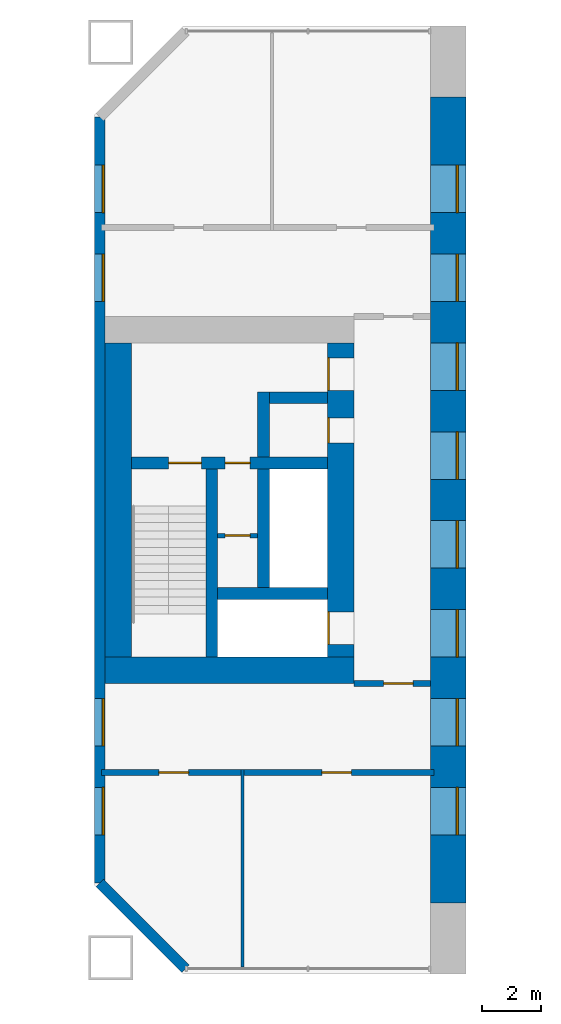
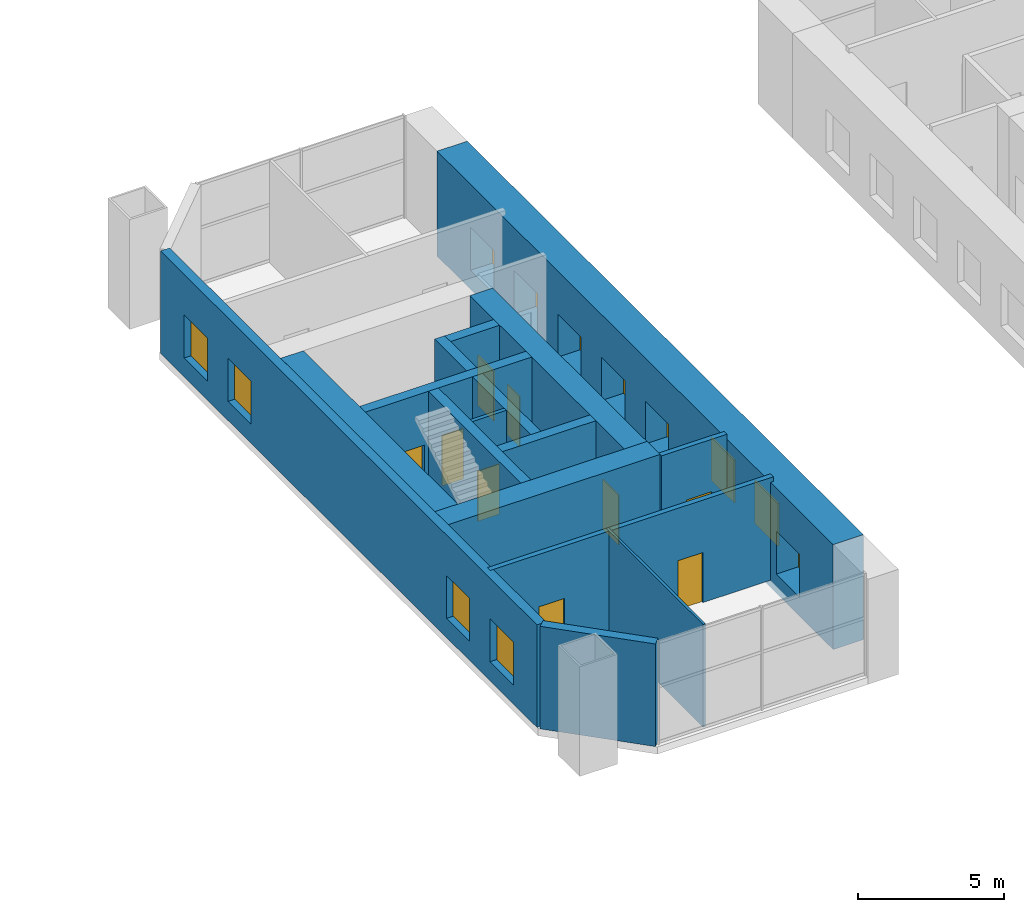
# One storey, part 13 of 19: 16 walls, 12 windows, 9 doors, 21 openings.
"""IFC4 building model written with IfcOpenShell, lengths in metres."""

import ifcopenshell
import ifcopenshell.guid

model = None  # the IFC model being written
_history = None  # IfcOwnerHistory: only IFC2X3 demands one
_inside = {}  # id of a spatial element -> (the spatial element, [elements in it])
_under = {}  # id of a project, library or spatial element -> (it, [spatial elements below it])
_declared = {}  # id of a project -> (the project, [libraries it declares])
_typed = {}  # id of a type object -> (the type object, [elements of that type])
_made_of = {}  # id of a material, layer set ... -> (it, [elements and type objects made of it])


def new_model(schema):
    """Start an empty IFC model of exactly this schema.

    Asked for "IFC4X3", IfcOpenShell would pick the latest addendum, in which some entities
    have other attributes; the version numbers below select the first issue.
    IFC2X3 requires an IfcOwnerHistory on every rooted entity: one is made here for all.
    """
    global model, _history
    if schema == "IFC4X3":
        model = ifcopenshell.file(schema_version=(4, 3, 0, 0))
    else:
        model = ifcopenshell.file(schema=schema)
    _inside.clear()
    _under.clear()
    _declared.clear()
    _typed.clear()
    _made_of.clear()
    _history = None
    if model.schema == "IFC2X3":
        org = make("IfcOrganization", Name="unknown")
        user = make(
            "IfcPersonAndOrganization",
            ThePerson=make("IfcPerson", FamilyName="unknown"),
            TheOrganization=org,
        )
        app = make(
            "IfcApplication",
            ApplicationDeveloper=org,
            Version="unknown",
            ApplicationFullName="unknown",
            ApplicationIdentifier="unknown",
        )
        _history = make(
            "IfcOwnerHistory",
            OwningUser=user,
            OwningApplication=app,
            ChangeAction="ADDED",
            CreationDate=0,
        )
    return model


def make(cls, **values):
    """One entity of the class cls with the attributes given. An attribute that is None is left unset."""
    return model.create_entity(
        cls, **{name: value for name, value in values.items() if value is not None}
    )


def rooted(cls, **values):
    """An entity with a GlobalId (a new one), such as an element, a storey or a relation."""
    return make(cls, GlobalId=ifcopenshell.guid.new(), OwnerHistory=_history, **values)


def si_unit(unit_type, name, prefix=None):
    """IfcSIUnit, for example si_unit("LENGTHUNIT", "METRE", prefix="MILLI")."""
    return make("IfcSIUnit", UnitType=unit_type, Prefix=prefix, Name=name)


def assignment(units):
    """IfcUnitAssignment: the units of a project."""
    return None if units is None else make("IfcUnitAssignment", Units=units)


def point(xyz):
    """IfcCartesianPoint."""
    return None if xyz is None else make("IfcCartesianPoint", Coordinates=xyz)


def direction(xyz):
    """IfcDirection."""
    return None if xyz is None else make("IfcDirection", DirectionRatios=xyz)


def frame(location, z_axis=None, x_axis=None):
    """IfcAxis2Placement3D, a coordinate frame: its origin and axes. An axis left out is left unset."""
    return make(
        "IfcAxis2Placement3D",
        Location=point(location),
        Axis=direction(z_axis),
        RefDirection=direction(x_axis),
    )


def frame_2d(location, x_axis=None):
    """IfcAxis2Placement2D, a coordinate frame in the plane: its origin and x axis."""
    return make(
        "IfcAxis2Placement2D", Location=point(location), RefDirection=direction(x_axis)
    )


def origin():
    """The frame at (0, 0, 0) with its axes left unset."""
    return frame((0.0, 0.0, 0.0))


def place(relative_to, where):
    """IfcLocalPlacement: puts the frame where relative to a parent placement (None: the world)."""
    return make(
        "IfcLocalPlacement", PlacementRelTo=relative_to, RelativePlacement=where
    )


def context(
    kind, dimensions, precision=None, world=None, true_north=None, identifier=None
):
    """IfcGeometricRepresentationContext, for example the 3D "Model" context."""
    return make(
        "IfcGeometricRepresentationContext",
        ContextIdentifier=identifier,
        ContextType=kind,
        CoordinateSpaceDimension=dimensions,
        Precision=precision,
        WorldCoordinateSystem=world,
        TrueNorth=true_north,
    )


def subcontext(parent, identifier, kind, view, scale=None):
    """IfcGeometricRepresentationSubContext, for example "Body" below "Model"."""
    return make(
        "IfcGeometricRepresentationSubContext",
        ContextIdentifier=identifier,
        ContextType=kind,
        ParentContext=parent,
        TargetScale=scale,
        TargetView=view,
    )


def project(units=None, contexts=None):
    """IfcProject with its units and contexts."""
    return rooted(
        "IfcProject",
        Name="project",
        RepresentationContexts=contexts,
        UnitsInContext=assignment(units),
    )


def spatial(cls, under=None, at=None, **own):
    """A site, building, storey or space (cls), placed at a placement, below another one or the project."""
    s = rooted(cls, ObjectPlacement=at, **own)
    if under is not None:
        _under.setdefault(under.id(), (under, []))[1].append(s)
    return s


def profile(cls, at=None, kind="AREA", **sizes):
    """A parametric profile (cls). Its sizes go by their IFC names, for example OverallWidth=200.0."""
    return make(cls, ProfileType=kind, Position=at, **sizes)


def rectangle(**sizes):
    """IfcRectangleProfileDef."""
    return profile("IfcRectangleProfileDef", **sizes)


def extrude(swept, where, along, depth):
    """IfcExtrudedAreaSolid: the profile swept, set in the frame where, extruded along a direction by depth."""
    return make(
        "IfcExtrudedAreaSolid",
        SweptArea=swept,
        Position=where,
        ExtrudedDirection=direction(along),
        Depth=depth,
    )


def shape(context_of_items, identifier, shape_type, items):
    """IfcShapeRepresentation: the items that make up one representation, for example the "Body"."""
    return make(
        "IfcShapeRepresentation",
        ContextOfItems=context_of_items,
        RepresentationIdentifier=identifier,
        RepresentationType=shape_type,
        Items=items,
    )


def material(Name=None, Category=None):
    """IfcMaterial."""
    return make("IfcMaterial", Name=Name, Category=Category)


def layer(
    of_material, thickness, ventilated=None, Name=None, Category=None, Priority=None
):
    """IfcMaterialLayer: one layer of a wall or slab, of a material (None: an air gap)."""
    return make(
        "IfcMaterialLayer",
        Material=of_material,
        LayerThickness=thickness,
        IsVentilated=ventilated,
        Name=Name,
        Category=Category,
        Priority=Priority,
    )


def layer_set(layers, Name=None):
    """IfcMaterialLayerSet."""
    return make("IfcMaterialLayerSet", MaterialLayers=layers, LayerSetName=Name)


def made_of(thing, what):
    """Note that an element or type object is made of a material, layer set ...; save() writes the relation."""
    if what is not None:
        _made_of.setdefault(what.id(), (what, []))[1].append(thing)
    return thing


def type_object(cls, material=None, **own):
    """A type object (cls), such as IfcWallType, which elements share."""
    return made_of(rooted(cls, **own), material)


def element(
    cls,
    number,
    at=None,
    inside=None,
    cuts=None,
    type_object=None,
    material=None,
    context=None,
    identifier="Body",
    shape_type=None,
    held_by="IfcProductDefinitionShape",
    body=None,
    shapes=None,
    **own,
):
    """One element of the class cls, such as IfcWall. Its Tag is "e" and its number.

    at: its placement. inside: the storey or other place that contains it. cuts: it is an
    opening in that element (IfcRelVoidsElement). A single representation is given by context,
    identifier, shape_type and body (its items); several are given by shapes. held_by: the class
    of the entity that holds the representations. save() writes the other relations.
    """
    e = rooted(cls, Tag="e%d" % number, ObjectPlacement=at, **own)
    if body is not None:
        shapes = [shape(context, identifier, shape_type, body)]
    if shapes is not None:
        e.Representation = make(held_by, Representations=shapes)
    if inside is not None:
        _inside.setdefault(inside.id(), (inside, []))[1].append(e)
    if cuts is not None:
        rooted(
            "IfcRelVoidsElement", RelatingBuildingElement=cuts, RelatedOpeningElement=e
        )
    if type_object is not None:
        _typed.setdefault(type_object.id(), (type_object, []))[1].append(e)
    return made_of(e, material)


def fill(opening, filler):
    """IfcRelFillsElement: the door or window that sits in an opening."""
    return rooted(
        "IfcRelFillsElement",
        RelatingOpeningElement=opening,
        RelatedBuildingElement=filler,
    )


def aggregate(whole, parts):
    """IfcRelAggregates: a whole, such as a stair, and the parts it consists of."""
    return rooted("IfcRelAggregates", RelatingObject=whole, RelatedObjects=parts)


def save(model, path):
    """Write the relations noted so far, then the file.

    IfcRelAggregates (storeys below a building ...), IfcRelContainedInSpatialStructure (elements
    in a storey), IfcRelDefinesByType, IfcRelAssociatesMaterial and IfcRelDeclares: one each for
    every whole, place, type object, material and project.
    """
    for whole, parts in _under.values():
        aggregate(whole, parts)
    for where, things in _inside.values():
        rooted(
            "IfcRelContainedInSpatialStructure",
            RelatedElements=things,
            RelatingStructure=where,
        )
    for kind, things in _typed.values():
        rooted("IfcRelDefinesByType", RelatedObjects=things, RelatingType=kind)
    for what, things in _made_of.values():
        rooted("IfcRelAssociatesMaterial", RelatedObjects=things, RelatingMaterial=what)
    for by, libraries in _declared.values():
        rooted("IfcRelDeclares", RelatingContext=by, RelatedDefinitions=libraries)
    model.write(path)


model = new_model("IFC4")

# Units and contexts
model_context = context("Model", 3, precision=1e-05, world=origin(), true_north=direction((0.0, 1.0)))
body_context = subcontext(model_context, "Body", "Model", "MODEL_VIEW")
ifc_project = project(units=[si_unit("LENGTHUNIT", "METRE"), si_unit("AREAUNIT", "SQUARE_METRE"), si_unit("VOLUMEUNIT", "CUBIC_METRE"), si_unit("PLANEANGLEUNIT", "RADIAN"), si_unit("MASSUNIT", "GRAM", prefix="KILO")], contexts=[model_context])

# Site, building, storey
site_placement = place(None, origin())
site = spatial("IfcSite", under=ifc_project, at=site_placement, CompositionType="ELEMENT")
building_placement = place(site_placement, origin())
building = spatial("IfcBuilding", under=site, at=building_placement, Name="Tuart Gate Housing", CompositionType="ELEMENT")
storey_placement = place(building_placement, frame((0.0, 0.0, 10.10009765625)))
storey = spatial("IfcBuildingStorey", under=building, at=storey_placement, Name="L02", CompositionType="ELEMENT", Elevation=10.10009765625)

# Wall
ifc_material_1 = material(Name="Brick", Category="masonry")
ifc_layer_1 = layer(ifc_material_1, 0.360107421875)
ifc_layer_set_1 = layer_set([ifc_layer_1], Name="Brick pier and spandrel wall 360")
wall_type_1 = type_object("IfcWallType", Name="Brick pier and spandrel wall 360", PredefinedType="STANDARD", material=ifc_layer_set_1)
wall_1_placement = place(storey_placement, frame((131.179931640625, 57.07470703125, 0.0), z_axis=(0.0, 0.0, 1.0), x_axis=(0.707106781187, -0.707106781187, 0.0)))
element("IfcWall", 1, at=wall_1_placement, inside=storey, type_object=wall_type_1, Name="External wall B-SW L02", PredefinedType="STANDARD", context=body_context, shape_type="SweptSolid", body=[
    extrude(rectangle(XDim=4.09375, YDim=0.360107421875, at=frame_2d((2.046875, 0.0))), origin(), (0.0, 0.0, 1.0), 4.2998046875),
])

# Wall, openings, windows
wall_2_placement = place(storey_placement, frame((131.179931640625, 82.92529296875, 0.0), z_axis=(0.0, 0.0, 1.0), x_axis=(0.0, -1.0, 0.0)))
wall_2 = element("IfcWall", 2, at=wall_2_placement, inside=storey, type_object=wall_type_1, Name="External wall B-W L02", PredefinedType="STANDARD", context=body_context, shape_type="SweptSolid", body=[
    extrude(rectangle(XDim=25.850830078125, YDim=0.360107421875, at=frame_2d((12.92529296875, 0.0))), origin(), (0.0, 0.0, 1.0), 4.2998046875),
])
opening_1_placement = place(wall_2_placement, frame((1.62548828125, 0.0, 0.800048828125)))
opening_1 = element("IfcOpeningElement", 3, at=opening_1_placement, cuts=wall_2, Name="Opening W1", PredefinedType="OPENING", context=body_context, shape_type="SweptSolid", body=[
    extrude(rectangle(XDim=1.60009765625, YDim=1.800048828125, at=frame_2d((0.800048828125, 0.89990234375))), frame((0.0, 0.18994140625, 0.0), z_axis=(0.0, -1.0, 0.0), x_axis=(1.0, 0.0, 0.0)), (0.0, 0.0, 1.0), 0.380126953125),
])
opening_2_placement = place(wall_2_placement, frame((4.62548828125, 0.0, 0.800048828125)))
opening_2 = element("IfcOpeningElement", 4, at=opening_2_placement, cuts=wall_2, Name="Opening W1", PredefinedType="OPENING", context=body_context, shape_type="SweptSolid", body=[
    extrude(rectangle(XDim=1.60009765625, YDim=1.800048828125, at=frame_2d((0.800048828125, 0.89990234375))), frame((0.0, 0.18994140625, 0.0), z_axis=(0.0, -1.0, 0.0), x_axis=(1.0, 0.0, 0.0)), (0.0, 0.0, 1.0), 0.380126953125),
])
opening_3_placement = place(wall_2_placement, frame((19.62548828125, 0.0, 0.800048828125)))
opening_3 = element("IfcOpeningElement", 5, at=opening_3_placement, cuts=wall_2, Name="Opening W1", PredefinedType="OPENING", context=body_context, shape_type="SweptSolid", body=[
    extrude(rectangle(XDim=1.60009765625, YDim=1.800048828125, at=frame_2d((0.800048828125, 0.89990234375))), frame((0.0, 0.18994140625, 0.0), z_axis=(0.0, -1.0, 0.0), x_axis=(1.0, 0.0, 0.0)), (0.0, 0.0, 1.0), 0.380126953125),
])
opening_4_placement = place(wall_2_placement, frame((22.62548828125, 0.0, 0.800048828125)))
opening_4 = element("IfcOpeningElement", 6, at=opening_4_placement, cuts=wall_2, Name="Opening W1", PredefinedType="OPENING", context=body_context, shape_type="SweptSolid", body=[
    extrude(rectangle(XDim=1.60009765625, YDim=1.800048828125, at=frame_2d((0.800048828125, 0.89990234375))), frame((0.0, 0.18994140625, 0.0), z_axis=(0.0, -1.0, 0.0), x_axis=(1.0, 0.0, 0.0)), (0.0, 0.0, 1.0), 0.380126953125),
])
ifc_material_2 = material(Name="Aluminium frame with clear glass", Category="aluminium")
window_type = type_object("IfcWindowType", Name="Punched window 1600 x 1800", PartitioningType="SINGLE_PANEL", PredefinedType="WINDOW", material=ifc_material_2)
window_1_placement = place(opening_1_placement, origin())
window_1 = element("IfcWindow", 7, at=window_1_placement, inside=storey, type_object=window_type, Name="Window W1", OverallHeight=1.800048828125, OverallWidth=1.60009765625, PartitioningType="SINGLE_PANEL", PredefinedType="WINDOW", context=body_context, shape_type="SweptSolid", body=[
    extrude(rectangle(XDim=1.60009765625, YDim=1.800048828125, at=frame_2d((0.800048828125, 0.89990234375))), frame((0.0, 0.150146484375, 0.0), z_axis=(0.0, -1.0, 0.0), x_axis=(1.0, 0.0, 0.0)), (0.0, 0.0, 1.0), 0.06005859375),
])
fill(opening_1, window_1)
window_2_placement = place(opening_2_placement, origin())
window_2 = element("IfcWindow", 8, at=window_2_placement, inside=storey, type_object=window_type, Name="Window W1", OverallHeight=1.800048828125, OverallWidth=1.60009765625, PartitioningType="SINGLE_PANEL", PredefinedType="WINDOW", context=body_context, shape_type="SweptSolid", body=[
    extrude(rectangle(XDim=1.60009765625, YDim=1.800048828125, at=frame_2d((0.800048828125, 0.89990234375))), frame((0.0, 0.150146484375, 0.0), z_axis=(0.0, -1.0, 0.0), x_axis=(1.0, 0.0, 0.0)), (0.0, 0.0, 1.0), 0.06005859375),
])
fill(opening_2, window_2)
window_3_placement = place(opening_3_placement, origin())
window_3 = element("IfcWindow", 9, at=window_3_placement, inside=storey, type_object=window_type, Name="Window W1", OverallHeight=1.800048828125, OverallWidth=1.60009765625, PartitioningType="SINGLE_PANEL", PredefinedType="WINDOW", context=body_context, shape_type="SweptSolid", body=[
    extrude(rectangle(XDim=1.60009765625, YDim=1.800048828125, at=frame_2d((0.800048828125, 0.89990234375))), frame((0.0, 0.150146484375, 0.0), z_axis=(0.0, -1.0, 0.0), x_axis=(1.0, 0.0, 0.0)), (0.0, 0.0, 1.0), 0.06005859375),
])
fill(opening_3, window_3)
window_4_placement = place(opening_4_placement, origin())
window_4 = element("IfcWindow", 10, at=window_4_placement, inside=storey, type_object=window_type, Name="Window W1", OverallHeight=1.800048828125, OverallWidth=1.60009765625, PartitioningType="SINGLE_PANEL", PredefinedType="WINDOW", context=body_context, shape_type="SweptSolid", body=[
    extrude(rectangle(XDim=1.60009765625, YDim=1.800048828125, at=frame_2d((0.800048828125, 0.89990234375))), frame((0.0, 0.150146484375, 0.0), z_axis=(0.0, -1.0, 0.0), x_axis=(1.0, 0.0, 0.0)), (0.0, 0.0, 1.0), 0.06005859375),
])
fill(opening_4, window_4)

# Wall, opening, door
ifc_material_3 = material(Name="Plasterboard partition")
ifc_layer_2 = layer(ifc_material_3, 0.14990234375)
ifc_layer_set_2 = layer_set([ifc_layer_2], Name="Core partition 150")
wall_type_2 = type_object("IfcWallType", Name="Core partition 150", PredefinedType="PARTITIONING", material=ifc_layer_set_2)
wall_3_placement = place(storey_placement, frame((136.510009765625, 68.800048828125, 0.0), z_axis=(0.0, 0.0, 1.0), x_axis=(-1.0, 0.0, 0.0)))
wall_3 = element("IfcWall", 11, at=wall_3_placement, inside=storey, type_object=wall_type_2, Name="Core partition BG.2", PredefinedType="PARTITIONING", context=body_context, shape_type="SweptSolid", body=[
    extrude(rectangle(XDim=1.35009765625, YDim=0.14990234375, at=frame_2d((0.675048828125, 0.0))), origin(), (0.0, 0.0, 1.0), 4.2998046875),
])
opening_5_placement = place(wall_3_placement, frame((0.25, 0.0, 0.0)))
opening_5 = element("IfcOpeningElement", 12, at=opening_5_placement, cuts=wall_3, Name="Opening D3230", PredefinedType="OPENING", context=body_context, shape_type="SweptSolid", body=[
    extrude(rectangle(XDim=0.85009765625, YDim=2.10009765625, at=frame_2d((0.425048828125, 1.050048828125))), frame((0.0, 0.0849609375, 0.0), z_axis=(0.0, -1.0, 0.0), x_axis=(1.0, 0.0, 0.0)), (0.0, 0.0, 1.0), 0.169921875),
])
ifc_material_4 = material(Name="Steel fire door", Category="steel")
door_type_1 = type_object("IfcDoorType", Name="Service door 850 x 2100 RH", OperationType="SINGLE_SWING_RIGHT", PredefinedType="DOOR", material=ifc_material_4)
door_1_placement = place(opening_5_placement, frame((0.85009765625, 0.0, 0.0), z_axis=(0.0, 0.0, 1.0), x_axis=(-1.0, 0.0, 0.0)))
door_1 = element("IfcDoor", 13, at=door_1_placement, inside=storey, type_object=door_type_1, Name="Service room door BG.W2", OperationType="SINGLE_SWING_RIGHT", OverallHeight=2.10009765625, OverallWidth=0.85009765625, PredefinedType="DOOR", context=body_context, shape_type="SweptSolid", body=[
    extrude(rectangle(XDim=0.85009765625, YDim=2.10009765625, at=frame_2d((0.425048828125, 1.050048828125))), frame((0.0, 0.025146484375, 0.0), z_axis=(0.0, -1.0, 0.0), x_axis=(1.0, 0.0, 0.0)), (0.0, 0.0, 1.0), 0.050048828125),
])
fill(opening_5, door_1)

# Wall
ifc_material_5 = material(Name="Concrete C60", Category="concrete")
ifc_layer_3 = layer(ifc_material_5, 0.39990234375)
ifc_layer_set_3 = layer_set([ifc_layer_3], Name="Core wall 400 C60")
wall_type_3 = type_object("IfcWallType", Name="Core wall 400 C60", PredefinedType="SHEAR", material=ifc_layer_set_3)
wall_4_placement = place(storey_placement, frame((138.860107421875, 66.85009765625, 0.0), z_axis=(0.0, 0.0, 1.0), x_axis=(-1.0, 0.0, 0.0)))
element("IfcWall", 14, at=wall_4_placement, inside=storey, type_object=wall_type_3, Name="Core wall BG.1", PredefinedType="SHEAR", context=body_context, shape_type="SweptSolid", body=[
    extrude(rectangle(XDim=3.7001953125, YDim=0.39990234375, at=frame_2d((1.85009765625, 0.0))), origin(), (0.0, 0.0, 1.0), 4.2998046875),
])

# Wall, openings, doors
wall_5_placement = place(storey_placement, frame((138.860107421875, 71.25, 0.0), z_axis=(0.0, 0.0, 1.0), x_axis=(-1.0, 0.0, 0.0)))
wall_5 = element("IfcWall", 15, at=wall_5_placement, inside=storey, type_object=wall_type_3, Name="Core wall BG.3", PredefinedType="SHEAR", context=body_context, shape_type="SweptSolid", body=[
    extrude(rectangle(XDim=6.60009765625, YDim=0.39990234375, at=frame_2d((3.300048828125, 0.0))), origin(), (0.0, 0.0, 1.0), 4.2998046875),
])
opening_6_placement = place(wall_5_placement, frame((4.25, 0.0, 0.0)))
opening_6 = element("IfcOpeningElement", 16, at=opening_6_placement, cuts=wall_5, Name="Opening D3215", PredefinedType="OPENING", context=body_context, shape_type="SweptSolid", body=[
    extrude(rectangle(XDim=1.10009765625, YDim=2.10009765625, at=frame_2d((0.550048828125, 1.050048828125))), frame((0.0, 0.2099609375, 0.0), z_axis=(0.0, -1.0, 0.0), x_axis=(1.0, 0.0, 0.0)), (0.0, 0.0, 1.0), 0.419921875),
])
opening_7_placement = place(wall_5_placement, frame((2.60009765625, 0.0, 0.0)))
opening_7 = element("IfcOpeningElement", 17, at=opening_7_placement, cuts=wall_5, Name="Opening D3214", PredefinedType="OPENING", context=body_context, shape_type="SweptSolid", body=[
    extrude(rectangle(XDim=0.85009765625, YDim=2.10009765625, at=frame_2d((0.425048828125, 1.050048828125))), frame((0.0, 0.2099609375, 0.0), z_axis=(0.0, -1.0, 0.0), x_axis=(1.0, 0.0, 0.0)), (0.0, 0.0, 1.0), 0.419921875),
])
ifc_material_6 = material(Name="Steel fire door", Category="steel")
door_type_2 = type_object("IfcDoorType", Name="Riser door 850 x 2100", OperationType="SINGLE_SWING_LEFT", PredefinedType="DOOR", material=ifc_material_6)
door_2_placement = place(opening_7_placement, origin())
door_2 = element("IfcDoor", 18, at=door_2_placement, inside=storey, type_object=door_type_2, Name="Service room door BG.W1", OperationType="SINGLE_SWING_LEFT", OverallHeight=2.10009765625, OverallWidth=0.85009765625, PredefinedType="DOOR", context=body_context, shape_type="SweptSolid", body=[
    extrude(rectangle(XDim=0.85009765625, YDim=2.10009765625, at=frame_2d((0.425048828125, 1.050048828125))), frame((0.0, 0.02490234375, 0.0), z_axis=(0.0, -1.0, 0.0), x_axis=(1.0, 0.0, 0.0)), (0.0, 0.0, 1.0), 0.050048828125),
])
fill(opening_7, door_2)
ifc_material_7 = material(Name="Steel fire door", Category="steel")
door_type_3 = type_object("IfcDoorType", Name="Stair door 1100 x 2100", OperationType="SINGLE_SWING_LEFT", PredefinedType="DOOR", material=ifc_material_7)
door_3_placement = place(opening_6_placement, origin())
door_3 = element("IfcDoor", 19, at=door_3_placement, inside=storey, type_object=door_type_3, Name="Stair door BG.SD", OperationType="SINGLE_SWING_LEFT", OverallHeight=2.10009765625, OverallWidth=1.10009765625, PredefinedType="DOOR", context=body_context, shape_type="SweptSolid", body=[
    extrude(rectangle(XDim=1.10009765625, YDim=2.10009765625, at=frame_2d((0.550048828125, 1.050048828125))), frame((0.0, 0.02490234375, 0.0), z_axis=(0.0, -1.0, 0.0), x_axis=(1.0, 0.0, 0.0)), (0.0, 0.0, 1.0), 0.050048828125),
])
fill(opening_6, door_3)

# Walls
wall_6_placement = place(storey_placement, frame((138.860107421875, 73.449951171875, 0.0), z_axis=(0.0, 0.0, 1.0), x_axis=(-1.0, 0.0, 0.0)))
element("IfcWall", 20, at=wall_6_placement, inside=storey, type_object=wall_type_3, Name="Core wall BG.4", PredefinedType="SHEAR", context=body_context, shape_type="SweptSolid", body=[
    extrude(rectangle(XDim=1.9501953125, YDim=0.39990234375, at=frame_2d((0.97509765625, 0.0))), origin(), (0.0, 0.0, 1.0), 4.2998046875),
])
wall_7_placement = place(storey_placement, frame((136.7099609375, 67.050048828125, 0.0), z_axis=(0.0, 0.0, 1.0), x_axis=(0.0, 1.0, 0.0)))
element("IfcWall", 21, at=wall_7_placement, inside=storey, type_object=wall_type_3, Name="Core wall BG.5", PredefinedType="SHEAR", context=body_context, shape_type="SweptSolid", body=[
    extrude(rectangle(XDim=4.0, YDim=0.39990234375, at=frame_2d((2.0, 0.0))), origin(), (0.0, 0.0, 1.0), 4.2998046875),
])
wall_8_placement = place(storey_placement, frame((136.7099609375, 71.449951171875, 0.0), z_axis=(0.0, 0.0, 1.0), x_axis=(0.0, 1.0, 0.0)))
element("IfcWall", 22, at=wall_8_placement, inside=storey, type_object=wall_type_3, Name="Core wall BG.6", PredefinedType="SHEAR", context=body_context, shape_type="SweptSolid", body=[
    extrude(rectangle(XDim=2.199951171875, YDim=0.39990234375, at=frame_2d((1.10009765625, 0.0))), origin(), (0.0, 0.0, 1.0), 4.2998046875),
])
wall_9_placement = place(storey_placement, frame((134.9599609375, 64.699951171875, 0.0), z_axis=(0.0, 0.0, 1.0), x_axis=(0.0, 1.0, 0.0)))
element("IfcWall", 23, at=wall_9_placement, inside=storey, type_object=wall_type_3, Name="Core wall BG.7", PredefinedType="SHEAR", context=body_context, shape_type="SweptSolid", body=[
    extrude(rectangle(XDim=6.35009765625, YDim=0.39990234375, at=frame_2d((3.175048828125, 0.0))), origin(), (0.0, 0.0, 1.0), 4.2998046875),
])

# Wall, openings, doors
ifc_material_8 = material(Name="Concrete C60", Category="concrete")
ifc_layer_4 = layer(ifc_material_8, 0.89990234375)
ifc_layer_set_4 = layer_set([ifc_layer_4], Name="Core wall 900 C60")
wall_type_4 = type_object("IfcWallType", Name="Core wall 900 C60", PredefinedType="SHEAR", material=ifc_layer_set_4)
wall_10_placement = place(storey_placement, frame((139.31005859375, 64.699951171875, 0.0), z_axis=(0.0, 0.0, 1.0), x_axis=(0.0, 1.0, 0.0)))
wall_10 = element("IfcWall", 24, at=wall_10_placement, inside=storey, type_object=wall_type_4, Name="Core wall BG front", PredefinedType="SHEAR", context=body_context, shape_type="SweptSolid", body=[
    extrude(rectangle(XDim=10.60009765625, YDim=0.89990234375, at=frame_2d((5.300048828125, 0.0))), origin(), (0.0, 0.0, 1.0), 4.2998046875),
])
opening_8_placement = place(wall_10_placement, frame((0.425048828125, 0.0, 0.0)))
opening_8 = element("IfcOpeningElement", 25, at=opening_8_placement, cuts=wall_10, Name="Opening LD-FB1", PredefinedType="OPENING", context=body_context, shape_type="SweptSolid", body=[
    extrude(rectangle(XDim=1.10009765625, YDim=2.10009765625, at=frame_2d((0.550048828125, 1.050048828125))), frame((0.0, 0.4599609375, 0.0), z_axis=(0.0, -1.0, 0.0), x_axis=(1.0, 0.0, 0.0)), (0.0, 0.0, 1.0), 0.919921875),
])
opening_9_placement = place(wall_10_placement, frame((9.0, 0.0, 0.0)))
opening_9 = element("IfcOpeningElement", 26, at=opening_9_placement, cuts=wall_10, Name="Opening D3216", PredefinedType="OPENING", context=body_context, shape_type="SweptSolid", body=[
    extrude(rectangle(XDim=1.10009765625, YDim=2.10009765625, at=frame_2d((0.550048828125, 1.050048828125))), frame((0.0, 0.4599609375, 0.0), z_axis=(0.0, -1.0, 0.0), x_axis=(1.0, 0.0, 0.0)), (0.0, 0.0, 1.0), 0.919921875),
])
opening_10_placement = place(wall_10_placement, frame((7.22509765625, 0.0, 0.0)))
opening_10 = element("IfcOpeningElement", 27, at=opening_10_placement, cuts=wall_10, Name="Opening D3217", PredefinedType="OPENING", context=body_context, shape_type="SweptSolid", body=[
    extrude(rectangle(XDim=0.85009765625, YDim=2.10009765625, at=frame_2d((0.425048828125, 1.050048828125))), frame((0.0, 0.4599609375, 0.0), z_axis=(0.0, -1.0, 0.0), x_axis=(1.0, 0.0, 0.0)), (0.0, 0.0, 1.0), 0.919921875),
])
ifc_material_9 = material(Name="Stainless steel", Category="steel")
door_type_4 = type_object("IfcDoorType", Name="Landing door 1100 x 2100", OperationType="DOUBLE_DOOR_SLIDING", PredefinedType="DOOR", material=ifc_material_9)
door_4_placement = place(opening_8_placement, origin())
door_4 = element("IfcDoor", 28, at=door_4_placement, inside=storey, type_object=door_type_4, Name="Lift landing door FB1", OperationType="DOUBLE_DOOR_SLIDING", OverallHeight=2.10009765625, OverallWidth=1.10009765625, PredefinedType="DOOR", context=body_context, shape_type="SweptSolid", body=[
    extrude(rectangle(XDim=1.10009765625, YDim=2.10009765625, at=frame_2d((0.550048828125, 1.050048828125))), frame((0.0, 0.43505859375, 0.0), z_axis=(0.0, -1.0, 0.0), x_axis=(1.0, 0.0, 0.0)), (0.0, 0.0, 1.0), 0.050048828125),
])
fill(opening_8, door_4)
ifc_material_10 = material(Name="Steel fire door", Category="steel")
door_type_5 = type_object("IfcDoorType", Name="Lobby door 1100 x 2100", OperationType="SINGLE_SWING_LEFT", PredefinedType="DOOR", material=ifc_material_10)
door_5_placement = place(opening_9_placement, origin())
door_5 = element("IfcDoor", 29, at=door_5_placement, inside=storey, type_object=door_type_5, Name="Lobby entry door BG.EN", OperationType="SINGLE_SWING_LEFT", OverallHeight=2.10009765625, OverallWidth=1.10009765625, PredefinedType="DOOR", context=body_context, shape_type="SweptSolid", body=[
    extrude(rectangle(XDim=1.10009765625, YDim=2.10009765625, at=frame_2d((0.550048828125, 1.050048828125))), frame((0.0, 0.43505859375, 0.0), z_axis=(0.0, -1.0, 0.0), x_axis=(1.0, 0.0, 0.0)), (0.0, 0.0, 1.0), 0.050048828125),
])
fill(opening_9, door_5)
ifc_material_11 = material(Name="Steel fire door", Category="steel")
door_type_6 = type_object("IfcDoorType", Name="Service door 850 x 2100", OperationType="SINGLE_SWING_LEFT", PredefinedType="DOOR", material=ifc_material_11)
door_6_placement = place(opening_10_placement, origin())
door_6 = element("IfcDoor", 30, at=door_6_placement, inside=storey, type_object=door_type_6, Name="Service room door BG.T1", OperationType="SINGLE_SWING_LEFT", OverallHeight=2.10009765625, OverallWidth=0.85009765625, PredefinedType="DOOR", context=body_context, shape_type="SweptSolid", body=[
    extrude(rectangle(XDim=0.85009765625, YDim=2.10009765625, at=frame_2d((0.425048828125, 1.050048828125))), frame((0.0, 0.43505859375, 0.0), z_axis=(0.0, -1.0, 0.0), x_axis=(1.0, 0.0, 0.0)), (0.0, 0.0, 1.0), 0.050048828125),
])
fill(opening_10, door_6)

# Walls
wall_11_placement = place(storey_placement, frame((131.81005859375, 64.699951171875, 0.0), z_axis=(0.0, 0.0, 1.0), x_axis=(0.0, 1.0, 0.0)))
element("IfcWall", 31, at=wall_11_placement, inside=storey, type_object=wall_type_4, Name="Core wall BG back", PredefinedType="SHEAR", context=body_context, shape_type="SweptSolid", body=[
    extrude(rectangle(XDim=10.60009765625, YDim=0.89990234375, at=frame_2d((5.300048828125, 0.0))), origin(), (0.0, 0.0, 1.0), 4.2998046875),
])
wall_12_placement = place(storey_placement, frame((139.760009765625, 64.25, 0.0), z_axis=(0.0, 0.0, 1.0), x_axis=(-1.0, 0.0, 0.0)))
element("IfcWall", 32, at=wall_12_placement, inside=storey, type_object=wall_type_4, Name="Core wall BG south", PredefinedType="SHEAR", context=body_context, shape_type="SweptSolid", body=[
    extrude(rectangle(XDim=8.39990234375, YDim=0.89990234375, at=frame_2d((4.199951171875, 0.0))), origin(), (0.0, 0.0, 1.0), 4.2998046875),
])

# Wall, openings, doors
ifc_material_12 = material(Name="Concrete masonry 15 MPa", Category="masonry")
ifc_layer_5 = layer(ifc_material_12, 0.199951171875)
ifc_layer_set_5 = layer_set([ifc_layer_5], Name="Corridor wall masonry 200")
wall_type_5 = type_object("IfcWallType", Name="Corridor wall masonry 200", PredefinedType="PARTITIONING", material=ifc_layer_set_5)
wall_13_placement = place(storey_placement, frame((131.239990234375, 60.800048828125, 0.0), z_axis=(0.0, 0.0, 1.0), x_axis=(1.0, 0.0, 0.0)))
wall_13 = element("IfcWall", 33, at=wall_13_placement, inside=storey, type_object=wall_type_5, Name="Corridor wall masonry 200", PredefinedType="PARTITIONING", context=body_context, shape_type="SweptSolid", body=[
    extrude(rectangle(XDim=11.22998046875, YDim=0.199951171875, at=frame_2d((5.614990234375, 0.0))), origin(), (0.0, 0.0, 1.0), 4.2998046875),
])
opening_11_placement = place(wall_13_placement, frame((1.93994140625, 0.0, 0.0)))
opening_11 = element("IfcOpeningElement", 34, at=opening_11_placement, cuts=wall_13, Name="Opening D3235", PredefinedType="OPENING", context=body_context, shape_type="SweptSolid", body=[
    extrude(rectangle(XDim=1.0, YDim=2.10009765625, at=frame_2d((0.5, 1.050048828125))), frame((0.0, 0.10986328125, 0.0), z_axis=(0.0, -1.0, 0.0), x_axis=(1.0, 0.0, 0.0)), (0.0, 0.0, 1.0), 0.219970703125),
])
opening_12_placement = place(wall_13_placement, frame((7.43505859375, 0.0, 0.0)))
opening_12 = element("IfcOpeningElement", 35, at=opening_12_placement, cuts=wall_13, Name="Opening D3236", PredefinedType="OPENING", context=body_context, shape_type="SweptSolid", body=[
    extrude(rectangle(XDim=1.0, YDim=2.10009765625, at=frame_2d((0.5, 1.050048828125))), frame((0.0, 0.10986328125, 0.0), z_axis=(0.0, -1.0, 0.0), x_axis=(1.0, 0.0, 0.0)), (0.0, 0.0, 1.0), 0.219970703125),
])
ifc_material_13 = material(Name="Timber door leaf in steel frame", Category="steel")
door_type_7 = type_object("IfcDoorType", Name="Fire door 1000 RH", OperationType="SINGLE_SWING_RIGHT", PredefinedType="DOOR", material=ifc_material_13)
door_7_placement = place(opening_11_placement, frame((1.0, 0.0, 0.0), z_axis=(0.0, 0.0, 1.0), x_axis=(-1.0, 0.0, 0.0)))
door_7 = element("IfcDoor", 36, at=door_7_placement, inside=storey, type_object=door_type_7, Name="Fire door 1000", OperationType="SINGLE_SWING_RIGHT", OverallHeight=2.10009765625, OverallWidth=1.0, PredefinedType="DOOR", context=body_context, shape_type="SweptSolid", body=[
    extrude(rectangle(XDim=1.0, YDim=2.10009765625, at=frame_2d((0.5, 1.050048828125))), frame((0.0, 0.025146484375, 0.0), z_axis=(0.0, -1.0, 0.0), x_axis=(1.0, 0.0, 0.0)), (0.0, 0.0, 1.0), 0.050048828125),
])
fill(opening_11, door_7)
door_8_placement = place(opening_12_placement, frame((1.0, 0.0, 0.0), z_axis=(0.0, 0.0, 1.0), x_axis=(-1.0, 0.0, 0.0)))
door_8 = element("IfcDoor", 37, at=door_8_placement, inside=storey, type_object=door_type_7, Name="Fire door 1000", OperationType="SINGLE_SWING_RIGHT", OverallHeight=2.10009765625, OverallWidth=1.0, PredefinedType="DOOR", context=body_context, shape_type="SweptSolid", body=[
    extrude(rectangle(XDim=1.0, YDim=2.10009765625, at=frame_2d((0.5, 1.050048828125))), frame((0.0, 0.025146484375, 0.0), z_axis=(0.0, -1.0, 0.0), x_axis=(1.0, 0.0, 0.0)), (0.0, 0.0, 1.0), 0.050048828125),
])
fill(opening_12, door_8)

# Wall, opening, door
ifc_material_14 = material(Name="Concrete masonry 15 MPa", Category="masonry")
ifc_layer_6 = layer(ifc_material_14, 0.199951171875)
ifc_layer_set_6 = layer_set([ifc_layer_6], Name="Enclosure wall masonry 200")
wall_type_6 = type_object("IfcWallType", Name="Enclosure wall masonry 200", PredefinedType="PARTITIONING", material=ifc_layer_set_6)
wall_14_placement = place(storey_placement, frame((139.760009765625, 63.800048828125, 0.0), z_axis=(0.0, 0.0, 1.0), x_axis=(1.0, 0.0, 0.0)))
wall_14 = element("IfcWall", 38, at=wall_14_placement, inside=storey, type_object=wall_type_6, Name="Enclosure wall masonry 200", PredefinedType="PARTITIONING", context=body_context, shape_type="SweptSolid", body=[
    extrude(rectangle(XDim=2.590087890625, YDim=0.199951171875, at=frame_2d((1.294921875, 0.0))), origin(), (0.0, 0.0, 1.0), 4.2998046875),
])
opening_13_placement = place(wall_14_placement, frame((1.0, 0.0, 0.0)))
opening_13 = element("IfcOpeningElement", 39, at=opening_13_placement, cuts=wall_14, Name="Opening D3233", PredefinedType="OPENING", context=body_context, shape_type="SweptSolid", body=[
    extrude(rectangle(XDim=1.0, YDim=2.10009765625, at=frame_2d((0.5, 1.050048828125))), frame((0.0, 0.10986328125, 0.0), z_axis=(0.0, -1.0, 0.0), x_axis=(1.0, 0.0, 0.0)), (0.0, 0.0, 1.0), 0.219970703125),
])
ifc_material_15 = material(Name="Timber door leaf in steel frame", Category="steel")
door_type_8 = type_object("IfcDoorType", Name="Lobby door 1000", OperationType="SINGLE_SWING_LEFT", PredefinedType="DOOR", material=ifc_material_15)
door_9_placement = place(opening_13_placement, frame((1.0, 0.0, 0.0), z_axis=(0.0, 0.0, 1.0), x_axis=(-1.0, 0.0, 0.0)))
door_9 = element("IfcDoor", 40, at=door_9_placement, inside=storey, type_object=door_type_8, Name="Lobby door 1000", OperationType="SINGLE_SWING_LEFT", OverallHeight=2.10009765625, OverallWidth=1.0, PredefinedType="DOOR", context=body_context, shape_type="SweptSolid", body=[
    extrude(rectangle(XDim=1.0, YDim=2.10009765625, at=frame_2d((0.5, 1.050048828125))), frame((0.0, 0.025146484375, 0.0), z_axis=(0.0, -1.0, 0.0), x_axis=(1.0, 0.0, 0.0)), (0.0, 0.0, 1.0), 0.050048828125),
])
fill(opening_13, door_9)

# Wall
ifc_material_16 = material(Name="Gypsum board on steel studs", Category="steel")
ifc_layer_7 = layer(ifc_material_16, 0.10009765625)
ifc_layer_set_7 = layer_set([ifc_layer_7], Name="Partition 100")
wall_type_7 = type_object("IfcWallType", Name="Partition 100", PredefinedType="PARTITIONING", material=ifc_layer_set_7)
wall_15_placement = place(storey_placement, frame((136.0, 54.239990234375, 0.0), z_axis=(0.0, 0.0, 1.0), x_axis=(0.0, 1.0, 0.0)))
element("IfcWall", 41, at=wall_15_placement, inside=storey, type_object=wall_type_7, Name="Partition 100", PredefinedType="PARTITIONING", context=body_context, shape_type="SweptSolid", body=[
    extrude(rectangle(XDim=6.659912109375, YDim=0.10009765625, at=frame_2d((3.330078125, 0.0))), origin(), (0.0, 0.0, 1.0), 4.2998046875),
])

# Wall, openings, windows
ifc_material_17 = material(Name="Concrete C60", Category="concrete")
ifc_layer_8 = layer(ifc_material_17, 1.199951171875)
ifc_layer_set_8 = layer_set([ifc_layer_8], Name="RC wall 1200 C60")
wall_type_8 = type_object("IfcWallType", Name="RC wall 1200 C60", PredefinedType="SHEAR", material=ifc_layer_set_8)
wall_16_placement = place(storey_placement, frame((142.949951171875, 56.39990234375, -0.300048828125), z_axis=(0.0, 0.0, 1.0), x_axis=(0.0, 1.0, 0.0)))
wall_16 = element("IfcWall", 42, at=wall_16_placement, inside=storey, type_object=wall_type_8, Name="Pier wall BW L02", PredefinedType="SHEAR", context=body_context, shape_type="SweptSolid", body=[
    extrude(rectangle(XDim=27.2001953125, YDim=1.199951171875, at=frame_2d((13.60009765625, 0.0))), origin(), (0.0, 0.0, 1.0), 4.39990234375),
])
opening_14_placement = place(wall_16_placement, frame((2.300048828125, 0.0, 0.800048828125)))
opening_14 = element("IfcOpeningElement", 43, at=opening_14_placement, cuts=wall_16, Name="Opening W1", PredefinedType="OPENING", context=body_context, shape_type="SweptSolid", body=[
    extrude(rectangle(XDim=1.60009765625, YDim=1.800048828125, at=frame_2d((0.800048828125, 0.89990234375))), frame((0.0, 0.60986328125, 0.0), z_axis=(0.0, -1.0, 0.0), x_axis=(1.0, 0.0, 0.0)), (0.0, 0.0, 1.0), 1.219970703125),
])
opening_15_placement = place(wall_16_placement, frame((5.300048828125, 0.0, 0.800048828125)))
opening_15 = element("IfcOpeningElement", 44, at=opening_15_placement, cuts=wall_16, Name="Opening W1", PredefinedType="OPENING", context=body_context, shape_type="SweptSolid", body=[
    extrude(rectangle(XDim=1.60009765625, YDim=1.800048828125, at=frame_2d((0.800048828125, 0.89990234375))), frame((0.0, 0.60986328125, 0.0), z_axis=(0.0, -1.0, 0.0), x_axis=(1.0, 0.0, 0.0)), (0.0, 0.0, 1.0), 1.219970703125),
])
opening_16_placement = place(wall_16_placement, frame((8.300048828125, 0.0, 0.800048828125)))
opening_16 = element("IfcOpeningElement", 45, at=opening_16_placement, cuts=wall_16, Name="Opening W1", PredefinedType="OPENING", context=body_context, shape_type="SweptSolid", body=[
    extrude(rectangle(XDim=1.60009765625, YDim=1.800048828125, at=frame_2d((0.800048828125, 0.89990234375))), frame((0.0, 0.60986328125, 0.0), z_axis=(0.0, -1.0, 0.0), x_axis=(1.0, 0.0, 0.0)), (0.0, 0.0, 1.0), 1.219970703125),
])
opening_17_placement = place(wall_16_placement, frame((11.300048828125, 0.0, 0.800048828125)))
opening_17 = element("IfcOpeningElement", 46, at=opening_17_placement, cuts=wall_16, Name="Opening W1", PredefinedType="OPENING", context=body_context, shape_type="SweptSolid", body=[
    extrude(rectangle(XDim=1.60009765625, YDim=1.800048828125, at=frame_2d((0.800048828125, 0.89990234375))), frame((0.0, 0.60986328125, 0.0), z_axis=(0.0, -1.0, 0.0), x_axis=(1.0, 0.0, 0.0)), (0.0, 0.0, 1.0), 1.219970703125),
])
opening_18_placement = place(wall_16_placement, frame((14.300048828125, 0.0, 0.800048828125)))
opening_18 = element("IfcOpeningElement", 47, at=opening_18_placement, cuts=wall_16, Name="Opening W1", PredefinedType="OPENING", context=body_context, shape_type="SweptSolid", body=[
    extrude(rectangle(XDim=1.60009765625, YDim=1.800048828125, at=frame_2d((0.800048828125, 0.89990234375))), frame((0.0, 0.60986328125, 0.0), z_axis=(0.0, -1.0, 0.0), x_axis=(1.0, 0.0, 0.0)), (0.0, 0.0, 1.0), 1.219970703125),
])
opening_19_placement = place(wall_16_placement, frame((17.300048828125, 0.0, 0.800048828125)))
opening_19 = element("IfcOpeningElement", 48, at=opening_19_placement, cuts=wall_16, Name="Opening W1", PredefinedType="OPENING", context=body_context, shape_type="SweptSolid", body=[
    extrude(rectangle(XDim=1.60009765625, YDim=1.800048828125, at=frame_2d((0.800048828125, 0.89990234375))), frame((0.0, 0.60986328125, 0.0), z_axis=(0.0, -1.0, 0.0), x_axis=(1.0, 0.0, 0.0)), (0.0, 0.0, 1.0), 1.219970703125),
])
opening_20_placement = place(wall_16_placement, frame((20.300048828125, 0.0, 0.800048828125)))
opening_20 = element("IfcOpeningElement", 49, at=opening_20_placement, cuts=wall_16, Name="Opening W1", PredefinedType="OPENING", context=body_context, shape_type="SweptSolid", body=[
    extrude(rectangle(XDim=1.60009765625, YDim=1.800048828125, at=frame_2d((0.800048828125, 0.89990234375))), frame((0.0, 0.60986328125, 0.0), z_axis=(0.0, -1.0, 0.0), x_axis=(1.0, 0.0, 0.0)), (0.0, 0.0, 1.0), 1.219970703125),
])
opening_21_placement = place(wall_16_placement, frame((23.300048828125, 0.0, 0.800048828125)))
opening_21 = element("IfcOpeningElement", 50, at=opening_21_placement, cuts=wall_16, Name="Opening W1", PredefinedType="OPENING", context=body_context, shape_type="SweptSolid", body=[
    extrude(rectangle(XDim=1.60009765625, YDim=1.800048828125, at=frame_2d((0.800048828125, 0.89990234375))), frame((0.0, 0.60986328125, 0.0), z_axis=(0.0, -1.0, 0.0), x_axis=(1.0, 0.0, 0.0)), (0.0, 0.0, 1.0), 1.219970703125),
])
window_5_placement = place(opening_14_placement, origin())
window_5 = element("IfcWindow", 51, at=window_5_placement, inside=storey, type_object=window_type, Name="Window W1", OverallHeight=1.800048828125, OverallWidth=1.60009765625, PartitioningType="SINGLE_PANEL", PredefinedType="WINDOW", context=body_context, shape_type="SweptSolid", body=[
    extrude(rectangle(XDim=1.60009765625, YDim=1.800048828125, at=frame_2d((0.800048828125, 0.89990234375))), frame((0.0, -0.27001953125, 0.0), z_axis=(0.0, -1.0, 0.0), x_axis=(1.0, 0.0, 0.0)), (0.0, 0.0, 1.0), 0.06005859375),
])
fill(opening_14, window_5)
window_6_placement = place(opening_15_placement, origin())
window_6 = element("IfcWindow", 52, at=window_6_placement, inside=storey, type_object=window_type, Name="Window W1", OverallHeight=1.800048828125, OverallWidth=1.60009765625, PartitioningType="SINGLE_PANEL", PredefinedType="WINDOW", context=body_context, shape_type="SweptSolid", body=[
    extrude(rectangle(XDim=1.60009765625, YDim=1.800048828125, at=frame_2d((0.800048828125, 0.89990234375))), frame((0.0, -0.27001953125, 0.0), z_axis=(0.0, -1.0, 0.0), x_axis=(1.0, 0.0, 0.0)), (0.0, 0.0, 1.0), 0.06005859375),
])
fill(opening_15, window_6)
window_7_placement = place(opening_16_placement, origin())
window_7 = element("IfcWindow", 53, at=window_7_placement, inside=storey, type_object=window_type, Name="Window W1", OverallHeight=1.800048828125, OverallWidth=1.60009765625, PartitioningType="SINGLE_PANEL", PredefinedType="WINDOW", context=body_context, shape_type="SweptSolid", body=[
    extrude(rectangle(XDim=1.60009765625, YDim=1.800048828125, at=frame_2d((0.800048828125, 0.89990234375))), frame((0.0, -0.27001953125, 0.0), z_axis=(0.0, -1.0, 0.0), x_axis=(1.0, 0.0, 0.0)), (0.0, 0.0, 1.0), 0.06005859375),
])
fill(opening_16, window_7)
window_8_placement = place(opening_17_placement, origin())
window_8 = element("IfcWindow", 54, at=window_8_placement, inside=storey, type_object=window_type, Name="Window W1", OverallHeight=1.800048828125, OverallWidth=1.60009765625, PartitioningType="SINGLE_PANEL", PredefinedType="WINDOW", context=body_context, shape_type="SweptSolid", body=[
    extrude(rectangle(XDim=1.60009765625, YDim=1.800048828125, at=frame_2d((0.800048828125, 0.89990234375))), frame((0.0, -0.27001953125, 0.0), z_axis=(0.0, -1.0, 0.0), x_axis=(1.0, 0.0, 0.0)), (0.0, 0.0, 1.0), 0.06005859375),
])
fill(opening_17, window_8)
window_9_placement = place(opening_18_placement, origin())
window_9 = element("IfcWindow", 55, at=window_9_placement, inside=storey, type_object=window_type, Name="Window W1", OverallHeight=1.800048828125, OverallWidth=1.60009765625, PartitioningType="SINGLE_PANEL", PredefinedType="WINDOW", context=body_context, shape_type="SweptSolid", body=[
    extrude(rectangle(XDim=1.60009765625, YDim=1.800048828125, at=frame_2d((0.800048828125, 0.89990234375))), frame((0.0, -0.27001953125, 0.0), z_axis=(0.0, -1.0, 0.0), x_axis=(1.0, 0.0, 0.0)), (0.0, 0.0, 1.0), 0.06005859375),
])
fill(opening_18, window_9)
window_10_placement = place(opening_19_placement, origin())
window_10 = element("IfcWindow", 56, at=window_10_placement, inside=storey, type_object=window_type, Name="Window W1", OverallHeight=1.800048828125, OverallWidth=1.60009765625, PartitioningType="SINGLE_PANEL", PredefinedType="WINDOW", context=body_context, shape_type="SweptSolid", body=[
    extrude(rectangle(XDim=1.60009765625, YDim=1.800048828125, at=frame_2d((0.800048828125, 0.89990234375))), frame((0.0, -0.27001953125, 0.0), z_axis=(0.0, -1.0, 0.0), x_axis=(1.0, 0.0, 0.0)), (0.0, 0.0, 1.0), 0.06005859375),
])
fill(opening_19, window_10)
window_11_placement = place(opening_20_placement, origin())
window_11 = element("IfcWindow", 57, at=window_11_placement, inside=storey, type_object=window_type, Name="Window W1", OverallHeight=1.800048828125, OverallWidth=1.60009765625, PartitioningType="SINGLE_PANEL", PredefinedType="WINDOW", context=body_context, shape_type="SweptSolid", body=[
    extrude(rectangle(XDim=1.60009765625, YDim=1.800048828125, at=frame_2d((0.800048828125, 0.89990234375))), frame((0.0, -0.27001953125, 0.0), z_axis=(0.0, -1.0, 0.0), x_axis=(1.0, 0.0, 0.0)), (0.0, 0.0, 1.0), 0.06005859375),
])
fill(opening_20, window_11)
window_12_placement = place(opening_21_placement, origin())
window_12 = element("IfcWindow", 58, at=window_12_placement, inside=storey, type_object=window_type, Name="Window W1", OverallHeight=1.800048828125, OverallWidth=1.60009765625, PartitioningType="SINGLE_PANEL", PredefinedType="WINDOW", context=body_context, shape_type="SweptSolid", body=[
    extrude(rectangle(XDim=1.60009765625, YDim=1.800048828125, at=frame_2d((0.800048828125, 0.89990234375))), frame((0.0, -0.27001953125, 0.0), z_axis=(0.0, -1.0, 0.0), x_axis=(1.0, 0.0, 0.0)), (0.0, 0.0, 1.0), 0.06005859375),
])
fill(opening_21, window_12)

save(model, "model.ifc")
